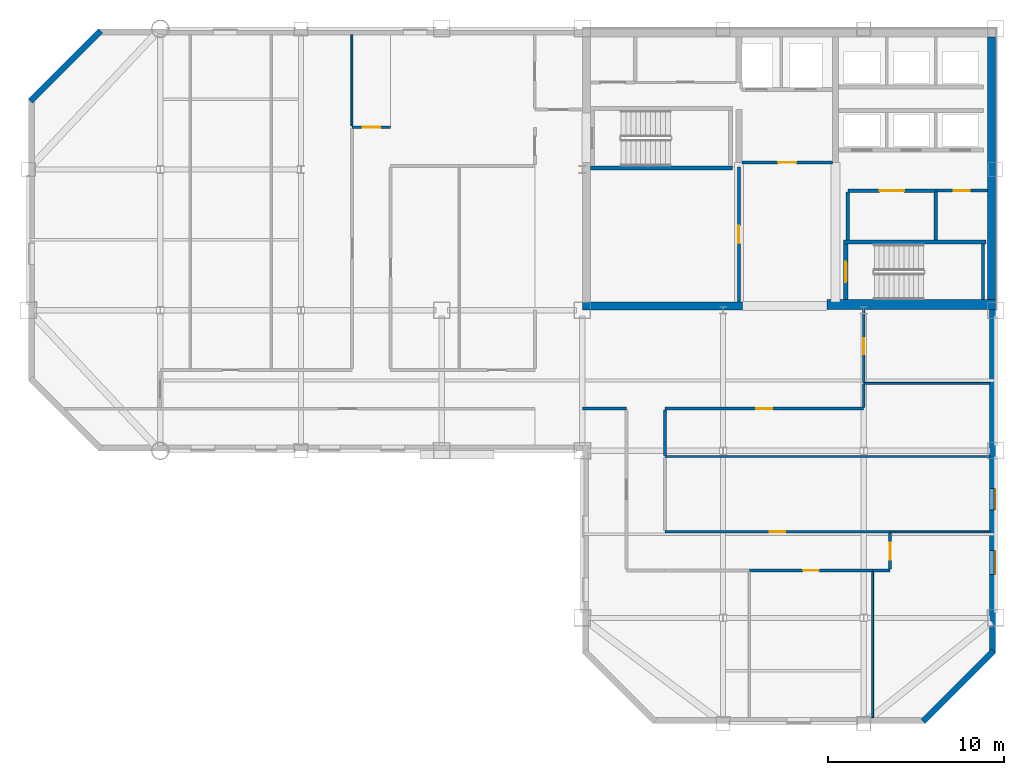
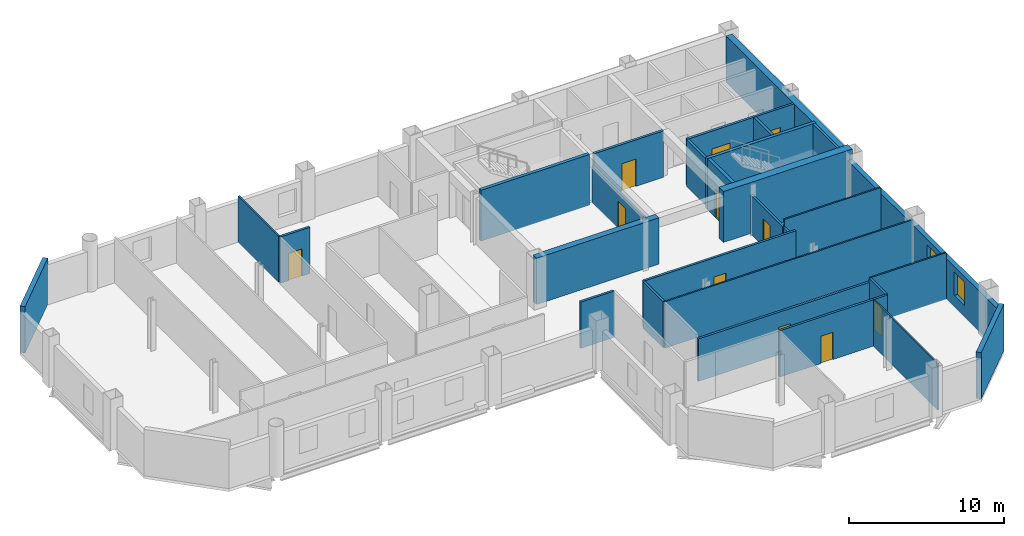
# One storey, part 5 of 11: 31 walls, 11 doors, 2 windows, 13 openings.
"""IFC4 building model written with IfcOpenShell, lengths in metres."""

from ifc_helpers import new_model, si_unit, direction, frame, frame_2d, origin, place, context, subcontext, project, spatial, rectangle, extrude, material, layer, layer_set, type_object, element, fill, save


model = new_model("IFC4")

# Units and contexts
model_context = context("Model", 3, precision=1e-05, world=origin(), true_north=direction((0.0, 1.0)))
body_context = subcontext(model_context, "Body", "Model", "MODEL_VIEW")
ifc_project = project(units=[si_unit("LENGTHUNIT", "METRE"), si_unit("AREAUNIT", "SQUARE_METRE"), si_unit("VOLUMEUNIT", "CUBIC_METRE"), si_unit("PLANEANGLEUNIT", "RADIAN"), si_unit("MASSUNIT", "GRAM", prefix="KILO")], contexts=[model_context])

# Site, building, storey
site_placement = place(None, origin())
site = spatial("IfcSite", under=ifc_project, at=site_placement, CompositionType="ELEMENT")
building_placement = place(site_placement, origin())
building = spatial("IfcBuilding", under=site, at=building_placement, Name="Qianrong Seaharbour Tower", CompositionType="ELEMENT")
storey_placement = place(building_placement, frame((0.0, 0.0, 277.800048828125)))
storey = spatial("IfcBuildingStorey", under=building, at=storey_placement, Name="L67", CompositionType="ELEMENT", Elevation=277.800048828125)

# Walls
ifc_material_1 = material(Name="Concrete C60/75", Category="concrete")
ifc_layer_1 = layer(ifc_material_1, 0.4599609375)
ifc_layer_set_1 = layer_set([ifc_layer_1], Name="Concrete C60/75")
wall_type_1 = type_object("IfcWallType", Name="WALL-CORE-460", PredefinedType="SHEAR", material=ifc_layer_set_1)
wall_1_placement = place(storey_placement, frame((63.77001953125, 36.320068359375, 0.0), z_axis=(0.0, 0.0, 1.0), x_axis=(0.0, 1.0, 0.0)))
element("IfcWall", 1, at=wall_1_placement, inside=storey, type_object=wall_type_1, Name="L67 East Core Shear Wall", PredefinedType="SHEAR", context=body_context, shape_type="SweptSolid", body=[
    extrude(rectangle(XDim=15.219970703125, YDim=0.4599609375, at=frame_2d((7.60986328125, 0.0))), origin(), (0.0, 0.0, 1.0), 3.64990234375),
])
wall_2_placement = place(storey_placement, frame((40.5, 36.22998046875, 0.0), z_axis=(0.0, 0.0, 1.0), x_axis=(1.0, 0.0, 0.0)))
element("IfcWall", 2, at=wall_2_placement, inside=storey, type_object=wall_type_1, Name="L67 South Core Shear Wall S1", PredefinedType="SHEAR", context=body_context, shape_type="SweptSolid", body=[
    extrude(rectangle(XDim=9.10009765625, YDim=0.4599609375, at=frame_2d((4.550048828125, 0.0))), origin(), (0.0, 0.0, 1.0), 3.64990234375),
])
ifc_material_2 = material(Name="Concrete C70/85", Category="concrete")
ifc_layer_2 = layer(ifc_material_2, 0.580078125)
ifc_layer_set_2 = layer_set([ifc_layer_2], Name="Concrete C70/85")
wall_type_2 = type_object("IfcWallType", Name="WALL-CORE-580", PredefinedType="SHEAR", material=ifc_layer_set_2)
wall_3_placement = place(storey_placement, frame((54.39990234375, 36.320068359375, 0.0), z_axis=(0.0, 0.0, 1.0), x_axis=(1.0, 0.0, 0.0)))
element("IfcWall", 3, at=wall_3_placement, inside=storey, type_object=wall_type_2, Name="L67 South Core Shear Wall S3", PredefinedType="SHEAR", context=body_context, shape_type="SweptSolid", body=[
    extrude(rectangle(XDim=9.60009765625, YDim=0.580078125, at=frame_2d((4.800048828125, 0.0))), origin(), (0.0, 0.0, 1.0), 4.0),
])

# Wall, opening, door
ifc_material_3 = material(Name="Fire-rated acoustic gypsum board partition")
ifc_layer_3 = layer(ifc_material_3, 0.1650390625)
ifc_layer_set_3 = layer_set([ifc_layer_3], Name="Fire-rated acoustic gypsum board partition")
wall_type_3 = type_object("IfcWallType", Name="WALL-CORR-PART-165", PredefinedType="PARTITIONING", material=ifc_layer_set_3)
wall_4_placement = place(storey_placement, frame((49.39990234375, 36.4599609375, 0.0), z_axis=(0.0, 0.0, 1.0), x_axis=(0.0, 1.0, 0.0)))
wall_4 = element("IfcWall", 4, at=wall_4_placement, inside=storey, type_object=wall_type_3, Name="L67 Interior Partition Wall 007", PredefinedType="PARTITIONING", context=body_context, shape_type="SweptSolid", body=[
    extrude(rectangle(XDim=7.68994140625, YDim=0.1650390625, at=frame_2d((3.844970703125, 0.0))), origin(), (0.0, 0.0, 1.0), 2.891845703125),
])
opening_1_placement = place(wall_4_placement, frame((3.344970703125, 0.0, 0.0)))
opening_1 = element("IfcOpeningElement", 5, at=opening_1_placement, cuts=wall_4, Name="Opening DO-01", PredefinedType="OPENING", context=body_context, shape_type="SweptSolid", body=[
    extrude(rectangle(XDim=1.0, YDim=2.14990234375, at=frame_2d((0.5, 1.074951171875))), frame((0.0, 0.092529296875, 0.0), z_axis=(0.0, -1.0, 0.0), x_axis=(1.0, 0.0, 0.0)), (0.0, 0.0, 1.0), 0.18505859375),
])
ifc_material_4 = material(Name="Acoustic timber and galvanized steel fire door assembly", Category="steel")
door_type_1 = type_object("IfcDoorType", Name="DOOR-OFFICE-1000x2150", OperationType="NOTDEFINED", PredefinedType="DOOR", material=ifc_material_4)
door_1_placement = place(opening_1_placement, origin())
door_1 = element("IfcDoor", 6, at=door_1_placement, inside=storey, type_object=door_type_1, Name="L67 Data Systems Office Door", OperationType="SINGLE_SWING_LEFT", OverallHeight=2.14990234375, OverallWidth=1.0, PredefinedType="DOOR", context=body_context, shape_type="SweptSolid", body=[
    extrude(rectangle(XDim=1.0, YDim=2.14990234375, at=frame_2d((0.5, 1.074951171875))), frame((0.0, 0.02490234375, 0.0), z_axis=(0.0, -1.0, 0.0), x_axis=(1.0, 0.0, 0.0)), (0.0, 0.0, 1.0), 0.050048828125),
])
fill(opening_1, door_1)

wall_5_placement = place(storey_placement, frame((63.5400390625, 42.800048828125, 0.0), z_axis=(0.0, 0.0, 1.0), x_axis=(-1.0, 0.0, 0.0)))
wall_5 = element("IfcWall", 7, at=wall_5_placement, inside=storey, type_object=wall_type_3, Name="L67 Interior Partition Wall 010", PredefinedType="PARTITIONING", context=body_context, shape_type="SweptSolid", body=[
    extrude(rectangle(XDim=2.93994140625, YDim=0.1650390625, at=frame_2d((1.469970703125, 0.0))), origin(), (0.0, 0.0, 1.0), 3.64990234375),
])
opening_2_placement = place(wall_5_placement, frame((1.02001953125, 0.0, 0.0)))
opening_2 = element("IfcOpeningElement", 8, at=opening_2_placement, cuts=wall_5, Name="Opening DS-01", PredefinedType="OPENING", context=body_context, shape_type="SweptSolid", body=[
    extrude(rectangle(XDim=0.89990234375, YDim=2.14990234375, at=frame_2d((0.449951171875, 1.074951171875))), frame((0.0, 0.092529296875, 0.0), z_axis=(0.0, -1.0, 0.0), x_axis=(1.0, 0.0, 0.0)), (0.0, 0.0, 1.0), 0.18505859375),
])
door_type_2 = type_object("IfcDoorType", Name="DOOR-STORE-900x2150", OperationType="NOTDEFINED", PredefinedType="DOOR", material=ifc_material_4)
door_2_placement = place(opening_2_placement, origin())
door_2 = element("IfcDoor", 9, at=door_2_placement, inside=storey, type_object=door_type_2, Name="L67 Housekeeping Linen Store Door", OperationType="SINGLE_SWING_LEFT", OverallHeight=2.14990234375, OverallWidth=0.89990234375, PredefinedType="DOOR", context=body_context, shape_type="SweptSolid", body=[
    extrude(rectangle(XDim=0.89990234375, YDim=2.14990234375, at=frame_2d((0.449951171875, 1.074951171875))), frame((0.0, 0.02490234375, 0.0), z_axis=(0.0, -1.0, 0.0), x_axis=(1.0, 0.0, 0.0)), (0.0, 0.0, 1.0), 0.050048828125),
])
fill(opening_2, door_2)

wall_6_placement = place(storey_placement, frame((27.39990234375, 46.39990234375, 0.0), z_axis=(0.0, 0.0, 1.0), x_axis=(1.0, 0.0, 0.0)))
wall_6 = element("IfcWall", 10, at=wall_6_placement, inside=storey, type_object=wall_type_3, Name="L67 Interior Partition Wall 021", PredefinedType="PARTITIONING", context=body_context, shape_type="SweptSolid", body=[
    extrude(rectangle(XDim=2.2001953125, YDim=0.1650390625, at=frame_2d((1.10009765625, 0.0))), origin(), (0.0, 0.0, 1.0), 3.64990234375),
])
opening_3_placement = place(wall_6_placement, frame((0.60009765625, 0.0, 0.0)))
opening_3 = element("IfcOpeningElement", 11, at=opening_3_placement, cuts=wall_6, Name="Opening DO-01", PredefinedType="OPENING", context=body_context, shape_type="SweptSolid", body=[
    extrude(rectangle(XDim=1.0, YDim=2.14990234375, at=frame_2d((0.5, 1.074951171875))), frame((0.0, 0.092529296875, 0.0), z_axis=(0.0, -1.0, 0.0), x_axis=(1.0, 0.0, 0.0)), (0.0, 0.0, 1.0), 0.18505859375),
])
door_3_placement = place(opening_3_placement, origin())
door_3 = element("IfcDoor", 12, at=door_3_placement, inside=storey, type_object=door_type_1, Name="L67 Maritime Tribunal Hearing Hall Door", OperationType="SINGLE_SWING_LEFT", OverallHeight=2.14990234375, OverallWidth=1.0, PredefinedType="DOOR", context=body_context, shape_type="SweptSolid", body=[
    extrude(rectangle(XDim=1.0, YDim=2.14990234375, at=frame_2d((0.5, 1.074951171875))), frame((0.0, 0.02490234375, 0.0), z_axis=(0.0, -1.0, 0.0), x_axis=(1.0, 0.0, 0.0)), (0.0, 0.0, 1.0), 0.050048828125),
])
fill(opening_3, door_3)

# Wall
wall_7_placement = place(storey_placement, frame((56.5, 31.79296875, 0.0), z_axis=(0.0, 0.0, 1.0), x_axis=(0.0, -1.0, 0.0)))
element("IfcWall", 13, at=wall_7_placement, inside=storey, type_object=wall_type_3, Name="L67 Interior Partition Wall 026", PredefinedType="PARTITIONING", context=body_context, shape_type="SweptSolid", body=[
    extrude(rectangle(XDim=1.318359375, YDim=0.1650390625, at=frame_2d((0.6591796875, 0.0))), origin(), (0.0, 0.0, 1.0), 3.053955078125),
])

# Wall, opening, door
wall_8_placement = place(storey_placement, frame((56.5, 30.39990234375, 0.0), z_axis=(0.0, 0.0, 1.0), x_axis=(-1.0, 0.0, 0.0)))
wall_8 = element("IfcWall", 14, at=wall_8_placement, inside=storey, type_object=wall_type_3, Name="L67 Interior Partition Wall 027", PredefinedType="PARTITIONING", context=body_context, shape_type="SweptSolid", body=[
    extrude(rectangle(XDim=11.300048828125, YDim=0.1650390625, at=frame_2d((5.64990234375, 0.0))), origin(), (0.0, 0.0, 1.0), 3.64990234375),
])
opening_4_placement = place(wall_8_placement, frame((5.199951171875, 0.0, 0.0)))
opening_4 = element("IfcOpeningElement", 15, at=opening_4_placement, cuts=wall_8, Name="Opening DS-01", PredefinedType="OPENING", context=body_context, shape_type="SweptSolid", body=[
    extrude(rectangle(XDim=0.89990234375, YDim=2.14990234375, at=frame_2d((0.449951171875, 1.074951171875))), frame((0.0, 0.092529296875, 0.0), z_axis=(0.0, -1.0, 0.0), x_axis=(1.0, 0.0, 0.0)), (0.0, 0.0, 1.0), 0.18505859375),
])
door_4_placement = place(opening_4_placement, origin())
door_4 = element("IfcDoor", 16, at=door_4_placement, inside=storey, type_object=door_type_2, Name="L67 Closed File Store 2 Door", OperationType="SINGLE_SWING_LEFT", OverallHeight=2.14990234375, OverallWidth=0.89990234375, PredefinedType="DOOR", context=body_context, shape_type="SweptSolid", body=[
    extrude(rectangle(XDim=0.89990234375, YDim=2.14990234375, at=frame_2d((0.449951171875, 1.074951171875))), frame((0.0, 0.02490234375, 0.0), z_axis=(0.0, -1.0, 0.0), x_axis=(1.0, 0.0, 0.0)), (0.0, 0.0, 1.0), 0.050048828125),
])
fill(opening_4, door_4)

wall_9_placement = place(storey_placement, frame((56.5, 36.0, 0.0), z_axis=(0.0, 0.0, 1.0), x_axis=(0.0, -1.0, 0.0)))
wall_9 = element("IfcWall", 17, at=wall_9_placement, inside=storey, type_object=wall_type_3, Name="L67 Interior Partition Wall 028", PredefinedType="PARTITIONING", context=body_context, shape_type="SweptSolid", body=[
    extrude(rectangle(XDim=4.113037109375, YDim=0.1650390625, at=frame_2d((2.056640625, 0.0))), origin(), (0.0, 0.0, 1.0), 3.053955078125),
])
opening_5_placement = place(wall_9_placement, frame((1.6064453125, 0.0, 0.0)))
opening_5 = element("IfcOpeningElement", 18, at=opening_5_placement, cuts=wall_9, Name="Opening DS-01", PredefinedType="OPENING", context=body_context, shape_type="SweptSolid", body=[
    extrude(rectangle(XDim=0.89990234375, YDim=2.14990234375, at=frame_2d((0.449951171875, 1.074951171875))), frame((0.0, 0.092529296875, 0.0), z_axis=(0.0, -1.0, 0.0), x_axis=(1.0, 0.0, 0.0)), (0.0, 0.0, 1.0), 0.18505859375),
])
door_5_placement = place(opening_5_placement, origin())
door_5 = element("IfcDoor", 19, at=door_5_placement, inside=storey, type_object=door_type_2, Name="L67 Document Registry Store 3 Door", OperationType="SINGLE_SWING_RIGHT", OverallHeight=2.14990234375, OverallWidth=0.89990234375, PredefinedType="DOOR", context=body_context, shape_type="SweptSolid", body=[
    extrude(rectangle(XDim=0.89990234375, YDim=2.14990234375, at=frame_2d((0.449951171875, 1.074951171875))), frame((0.0, 0.02490234375, 0.0), z_axis=(0.0, -1.0, 0.0), x_axis=(1.0, 0.0, 0.0)), (0.0, 0.0, 1.0), 0.050048828125),
])
fill(opening_5, door_5)

# Walls
wall_10_placement = place(storey_placement, frame((43.0, 30.39990234375, 0.0), z_axis=(0.0, 0.0, 1.0), x_axis=(-1.0, 0.0, 0.0)))
element("IfcWall", 20, at=wall_10_placement, inside=storey, type_object=wall_type_3, Name="L67 Interior Partition Wall 029", PredefinedType="PARTITIONING", context=body_context, shape_type="SweptSolid", body=[
    extrude(rectangle(XDim=2.5, YDim=0.1650390625, at=frame_2d((1.25, 0.0))), origin(), (0.0, 0.0, 1.0), 3.64990234375),
])
wall_11_placement = place(storey_placement, frame((45.199951171875, 30.325439453125, 0.0), z_axis=(0.0, 0.0, 1.0), x_axis=(0.0, -1.0, 0.0)))
element("IfcWall", 21, at=wall_11_placement, inside=storey, type_object=wall_type_3, Name="L67 Interior Partition Wall 031", PredefinedType="PARTITIONING", context=body_context, shape_type="SweptSolid", body=[
    extrude(rectangle(XDim=2.598388671875, YDim=0.1650390625, at=frame_2d((1.29931640625, 0.0))), origin(), (0.0, 0.0, 1.0), 3.64990234375),
])

# Wall, opening, door
wall_12_placement = place(storey_placement, frame((45.199951171875, 23.39990234375, 0.0), z_axis=(0.0, 0.0, 1.0), x_axis=(1.0, 0.0, 0.0)))
wall_12 = element("IfcWall", 22, at=wall_12_placement, inside=storey, type_object=wall_type_3, Name="L67 Interior Partition Wall 034", PredefinedType="PARTITIONING", context=body_context, shape_type="SweptSolid", body=[
    extrude(rectangle(XDim=12.800048828125, YDim=0.1650390625, at=frame_2d((6.39990234375, 0.0))), origin(), (0.0, 0.0, 1.0), 3.342041015625),
])
opening_6_placement = place(wall_12_placement, frame((5.949951171875, 0.0, 0.0)))
opening_6 = element("IfcOpeningElement", 23, at=opening_6_placement, cuts=wall_12, Name="Opening DS-01", PredefinedType="OPENING", context=body_context, shape_type="SweptSolid", body=[
    extrude(rectangle(XDim=0.89990234375, YDim=2.14990234375, at=frame_2d((0.449951171875, 1.074951171875))), frame((0.0, 0.092529296875, 0.0), z_axis=(0.0, -1.0, 0.0), x_axis=(1.0, 0.0, 0.0)), (0.0, 0.0, 1.0), 0.18505859375),
])
door_6_placement = place(opening_6_placement, origin())
door_6 = element("IfcDoor", 24, at=door_6_placement, inside=storey, type_object=door_type_2, Name="L67 Docket Archive Store 1 Door", OperationType="SINGLE_SWING_RIGHT", OverallHeight=2.14990234375, OverallWidth=0.89990234375, PredefinedType="DOOR", context=body_context, shape_type="SweptSolid", body=[
    extrude(rectangle(XDim=0.89990234375, YDim=2.14990234375, at=frame_2d((0.449951171875, 1.074951171875))), frame((0.0, 0.02490234375, 0.0), z_axis=(0.0, -1.0, 0.0), x_axis=(1.0, 0.0, 0.0)), (0.0, 0.0, 1.0), 0.050048828125),
])
fill(opening_6, door_6)

wall_13_placement = place(storey_placement, frame((57.0, 21.199951171875, 0.0), z_axis=(0.0, 0.0, 1.0), x_axis=(-1.0, 0.0, 0.0)))
wall_13 = element("IfcWall", 25, at=wall_13_placement, inside=storey, type_object=wall_type_3, Name="L67 Interior Partition Wall 036", PredefinedType="PARTITIONING", context=body_context, shape_type="SweptSolid", body=[
    extrude(rectangle(XDim=7.0, YDim=0.1650390625, at=frame_2d((3.5, 0.0))), origin(), (0.0, 0.0, 1.0), 3.64990234375),
])
opening_7_placement = place(wall_13_placement, frame((3.050048828125, 0.0, 0.0)))
opening_7 = element("IfcOpeningElement", 26, at=opening_7_placement, cuts=wall_13, Name="Opening DS-01", PredefinedType="OPENING", context=body_context, shape_type="SweptSolid", body=[
    extrude(rectangle(XDim=0.89990234375, YDim=2.14990234375, at=frame_2d((0.449951171875, 1.074951171875))), frame((0.0, 0.092529296875, 0.0), z_axis=(0.0, -1.0, 0.0), x_axis=(1.0, 0.0, 0.0)), (0.0, 0.0, 1.0), 0.18505859375),
])
door_7_placement = place(opening_7_placement, origin())
door_7 = element("IfcDoor", 27, at=door_7_placement, inside=storey, type_object=door_type_2, Name="L67 Corporate Archive Room 2 Door", OperationType="SINGLE_SWING_LEFT", OverallHeight=2.14990234375, OverallWidth=0.89990234375, PredefinedType="DOOR", context=body_context, shape_type="SweptSolid", body=[
    extrude(rectangle(XDim=0.89990234375, YDim=2.14990234375, at=frame_2d((0.449951171875, 1.074951171875))), frame((0.0, 0.02490234375, 0.0), z_axis=(0.0, -1.0, 0.0), x_axis=(1.0, 0.0, 0.0)), (0.0, 0.0, 1.0), 0.050048828125),
])
fill(opening_7, door_7)

wall_14_placement = place(storey_placement, frame((58.0, 23.325439453125, 0.0), z_axis=(0.0, 0.0, 1.0), x_axis=(0.0, -1.0, 0.0)))
wall_14 = element("IfcWall", 28, at=wall_14_placement, inside=storey, type_object=wall_type_3, Name="L67 Interior Partition Wall 037", PredefinedType="PARTITIONING", context=body_context, shape_type="SweptSolid", body=[
    extrude(rectangle(XDim=2.051025390625, YDim=0.1650390625, at=frame_2d((1.025390625, 0.0))), origin(), (0.0, 0.0, 1.0), 3.64990234375),
])
opening_8_placement = place(wall_14_placement, frame((0.535400390625, 0.0, 0.0)))
opening_8 = element("IfcOpeningElement", 29, at=opening_8_placement, cuts=wall_14, Name="Opening DE-01", PredefinedType="OPENING", context=body_context, shape_type="SweptSolid", body=[
    extrude(rectangle(XDim=0.97998046875, YDim=2.25, at=frame_2d((0.489990234375, 1.125))), frame((0.0, 0.092529296875, 0.0), z_axis=(0.0, -1.0, 0.0), x_axis=(1.0, 0.0, 0.0)), (0.0, 0.0, 1.0), 0.18505859375),
])
door_type_3 = type_object("IfcDoorType", Name="DOOR-EXEC-980x2250", OperationType="NOTDEFINED", PredefinedType="DOOR", material=ifc_material_4)
door_8_placement = place(opening_8_placement, origin())
door_8 = element("IfcDoor", 30, at=door_8_placement, inside=storey, type_object=door_type_3, Name="L67 Senior Partner Office 3 Door", OperationType="SINGLE_SWING_RIGHT", OverallHeight=2.25, OverallWidth=0.97998046875, PredefinedType="DOOR", context=body_context, shape_type="SweptSolid", body=[
    extrude(rectangle(XDim=0.97998046875, YDim=2.25, at=frame_2d((0.489990234375, 1.125))), frame((0.0, 0.02490234375, 0.0), z_axis=(0.0, -1.0, 0.0), x_axis=(1.0, 0.0, 0.0)), (0.0, 0.0, 1.0), 0.050048828125),
])
fill(opening_8, door_8)

# Walls
wall_15_placement = place(storey_placement, frame((58.0, 21.199951171875, 0.0), z_axis=(0.0, 0.0, 1.0), x_axis=(-1.0, 0.0, 0.0)))
element("IfcWall", 31, at=wall_15_placement, inside=storey, type_object=wall_type_3, Name="L67 Interior Partition Wall 038", PredefinedType="PARTITIONING", context=body_context, shape_type="SweptSolid", body=[
    extrude(rectangle(XDim=1.0, YDim=0.1650390625, at=frame_2d((0.5, 0.0))), origin(), (0.0, 0.0, 1.0), 3.64990234375),
])
ifc_material_5 = material(Name="Demountable aluminium-framed acoustic office partition", Category="aluminium")
ifc_layer_4 = layer(ifc_material_5, 0.110107421875)
ifc_layer_set_4 = layer_set([ifc_layer_4], Name="Demountable aluminium-framed acoustic office partition")
wall_type_4 = type_object("IfcWallType", Name="WALL-DEMOUNT-110", PredefinedType="MOVABLE", material=ifc_layer_set_4)
wall_16_placement = place(storey_placement, frame((27.39990234375, 51.66796875, 0.0), z_axis=(0.0, 0.0, 1.0), x_axis=(0.0, -1.0, 0.0)))
element("IfcWall", 32, at=wall_16_placement, inside=storey, type_object=wall_type_4, Name="L67 Interior Partition Wall 042", PredefinedType="MOVABLE", context=body_context, shape_type="SweptSolid", body=[
    extrude(rectangle(XDim=5.193359375, YDim=0.110107421875, at=frame_2d((2.5966796875, 0.0))), origin(), (0.0, 0.0, 1.0), 3.64990234375),
])
wall_17_placement = place(storey_placement, frame((45.199951171875, 27.679931640625, 0.0), z_axis=(0.0, 0.0, 1.0), x_axis=(1.0, 0.0, 0.0)))
element("IfcWall", 33, at=wall_17_placement, inside=storey, type_object=wall_type_4, Name="L67 Interior Partition Wall 044", PredefinedType="MOVABLE", context=body_context, shape_type="SweptSolid", body=[
    extrude(rectangle(XDim=18.468017578125, YDim=0.110107421875, at=frame_2d((9.23388671875, 0.0))), origin(), (0.0, 0.0, 1.0), 3.64990234375),
])
wall_18_placement = place(storey_placement, frame((63.66796875, 23.39990234375, 0.0), z_axis=(0.0, 0.0, 1.0), x_axis=(-1.0, 0.0, 0.0)))
element("IfcWall", 34, at=wall_18_placement, inside=storey, type_object=wall_type_4, Name="L67 Interior Partition Wall 045", PredefinedType="MOVABLE", context=body_context, shape_type="SweptSolid", body=[
    extrude(rectangle(XDim=5.66796875, YDim=0.110107421875, at=frame_2d((2.833984375, 0.0))), origin(), (0.0, 0.0, 1.0), 3.64990234375),
])
wall_19_placement = place(storey_placement, frame((56.5, 31.840087890625, 0.0), z_axis=(0.0, 0.0, 1.0), x_axis=(1.0, 0.0, 0.0)))
element("IfcWall", 35, at=wall_19_placement, inside=storey, type_object=wall_type_4, Name="L67 Interior Partition Wall 046", PredefinedType="MOVABLE", context=body_context, shape_type="SweptSolid", body=[
    extrude(rectangle(XDim=7.16796875, YDim=0.110107421875, at=frame_2d((3.583984375, 0.0))), origin(), (0.0, 0.0, 1.0), 3.64990234375),
])
wall_20_placement = place(storey_placement, frame((57.0, 21.12548828125, 0.0), z_axis=(0.0, 0.0, 1.0), x_axis=(0.0, -1.0, 0.0)))
element("IfcWall", 36, at=wall_20_placement, inside=storey, type_object=wall_type_4, Name="L67 Interior Partition Wall 048", PredefinedType="MOVABLE", context=body_context, shape_type="SweptSolid", body=[
    extrude(rectangle(XDim=8.29345703125, YDim=0.110107421875, at=frame_2d((4.146728515625, 0.0))), origin(), (0.0, 0.0, 1.0), 3.64990234375),
])
ifc_material_6 = material(Name="Unitised buff brick on Precast concrete C45/55", Category="masonry")
ifc_layer_5 = layer(ifc_material_6, 0.340087890625)
ifc_layer_set_5 = layer_set([ifc_layer_5], Name="Unitised buff brick on Precast concrete C45/55")
wall_type_5 = type_object("IfcWallType", Name="WALL-EXT-BRICK-BUFF-340", PredefinedType="SOLIDWALL", material=ifc_layer_set_5)
wall_21_placement = place(storey_placement, frame((9.1201171875, 47.8798828125, 0.0), z_axis=(0.0, 0.0, 1.0), x_axis=(0.707106781187, 0.707106781187, 0.0)))
element("IfcWall", 37, at=wall_21_placement, inside=storey, type_object=wall_type_5, Name="L67 Exterior Masonry Facade Wall E04", PredefinedType="SOLIDWALL", context=body_context, shape_type="SweptSolid", body=[
    extrude(rectangle(XDim=5.65673828125, YDim=0.340087890625, at=frame_2d((2.828369140625, 0.0))), origin(), (0.0, 0.0, 1.0), 3.64990234375),
])

# Wall, openings, windows
wall_22_placement = place(storey_placement, frame((63.830078125, 36.050048828125, 0.0), z_axis=(0.0, 0.0, 1.0), x_axis=(0.0, -1.0, 0.0)))
wall_22 = element("IfcWall", 38, at=wall_22_placement, inside=storey, type_object=wall_type_5, Name="L67 Exterior Masonry Facade Wall EAST_WING", PredefinedType="SOLIDWALL", context=body_context, shape_type="SweptSolid", body=[
    extrude(rectangle(XDim=19.550048828125, YDim=0.340087890625, at=frame_2d((9.77490234375, 0.0))), origin(), (0.0, 0.0, 1.0), 3.199951171875),
])
opening_9_placement = place(wall_22_placement, frame((10.199951171875, 0.0, 0.89990234375)))
opening_9 = element("IfcOpeningElement", 39, at=opening_9_placement, cuts=wall_22, Name="Opening WN-01", PredefinedType="OPENING", context=body_context, shape_type="SweptSolid", body=[
    extrude(rectangle(XDim=1.199951171875, YDim=1.85009765625, at=frame_2d((0.60009765625, 0.925048828125))), frame((0.0, 0.18017578125, 0.0), z_axis=(0.0, -1.0, 0.0), x_axis=(1.0, 0.0, 0.0)), (0.0, 0.0, 1.0), 0.360107421875),
])
opening_10_placement = place(wall_22_placement, frame((13.72509765625, 0.0, 0.89990234375)))
opening_10 = element("IfcOpeningElement", 40, at=opening_10_placement, cuts=wall_22, Name="Opening WN-02", PredefinedType="OPENING", context=body_context, shape_type="SweptSolid", body=[
    extrude(rectangle(XDim=1.35009765625, YDim=1.85009765625, at=frame_2d((0.675048828125, 0.925048828125))), frame((0.0, 0.18017578125, 0.0), z_axis=(0.0, -1.0, 0.0), x_axis=(1.0, 0.0, 0.0)), (0.0, 0.0, 1.0), 0.360107421875),
])
ifc_material_7 = material(Name="Insulated low-e double glazing in thermally broken aluminium 6063-T6 frame", Category="aluminium")
window_type_1 = type_object("IfcWindowType", Name="WIN-PUNCH-1200x1850", PartitioningType="DOUBLE_PANEL_VERTICAL", PredefinedType="WINDOW", material=ifc_material_7)
window_1_placement = place(opening_9_placement, origin())
window_1 = element("IfcWindow", 41, at=window_1_placement, inside=storey, type_object=window_type_1, Name="L67 Deep-Set Punched Window 06.03", OverallHeight=1.85009765625, OverallWidth=1.199951171875, PartitioningType="DOUBLE_PANEL_VERTICAL", PredefinedType="WINDOW", context=body_context, shape_type="SweptSolid", body=[
    extrude(rectangle(XDim=1.199951171875, YDim=1.85009765625, at=frame_2d((0.60009765625, 0.925048828125))), frame((0.0, 0.150146484375, 0.0), z_axis=(0.0, -1.0, 0.0), x_axis=(1.0, 0.0, 0.0)), (0.0, 0.0, 1.0), 0.06005859375),
])
fill(opening_9, window_1)
window_type_2 = type_object("IfcWindowType", Name="WIN-PUNCH-1350x1850", PartitioningType="DOUBLE_PANEL_VERTICAL", PredefinedType="WINDOW", material=ifc_material_7)
window_2_placement = place(opening_10_placement, origin())
window_2 = element("IfcWindow", 42, at=window_2_placement, inside=storey, type_object=window_type_2, Name="L67 Deep-Set Punched Window 06.04", OverallHeight=1.85009765625, OverallWidth=1.35009765625, PartitioningType="DOUBLE_PANEL_VERTICAL", PredefinedType="WINDOW", context=body_context, shape_type="SweptSolid", body=[
    extrude(rectangle(XDim=1.35009765625, YDim=1.85009765625, at=frame_2d((0.675048828125, 0.925048828125))), frame((0.0, 0.150146484375, 0.0), z_axis=(0.0, -1.0, 0.0), x_axis=(1.0, 0.0, 0.0)), (0.0, 0.0, 1.0), 0.06005859375),
])
fill(opening_10, window_2)

# Wall
wall_23_placement = place(storey_placement, frame((63.8798828125, 16.6201171875, 0.0), z_axis=(0.0, 0.0, 1.0), x_axis=(-0.707106781187, -0.707106781187, 0.0)))
element("IfcWall", 43, at=wall_23_placement, inside=storey, type_object=wall_type_5, Name="L67 Exterior Masonry Facade Wall E07", PredefinedType="SOLIDWALL", context=body_context, shape_type="SweptSolid", body=[
    extrude(rectangle(XDim=5.65673828125, YDim=0.340087890625, at=frame_2d((2.828369140625, 0.0))), origin(), (0.0, 0.0, 1.0), 3.64990234375),
])

# Wall, opening, door
ifc_material_8 = material(Name="Double fire-rated gypsum board acoustic partition")
ifc_layer_6 = layer(ifc_material_8, 0.18994140625)
ifc_layer_set_6 = layer_set([ifc_layer_6], Name="Double fire-rated gypsum board acoustic partition")
wall_type_6 = type_object("IfcWallType", Name="WALL-FIRE-PART-190", PredefinedType="PARTITIONING", material=ifc_layer_set_6)
wall_24_placement = place(storey_placement, frame((54.73291015625, 44.39990234375, 0.0), z_axis=(0.0, 0.0, 1.0), x_axis=(-1.0, 0.0, 0.0)))
wall_24 = element("IfcWall", 44, at=wall_24_placement, inside=storey, type_object=wall_type_6, Name="L67 Interior Partition Wall 006", PredefinedType="PARTITIONING", context=body_context, shape_type="SweptSolid", body=[
    extrude(rectangle(XDim=5.166015625, YDim=0.18994140625, at=frame_2d((2.5830078125, 0.0))), origin(), (0.0, 0.0, 1.0), 3.64990234375),
])
opening_11_placement = place(wall_24_placement, frame((2.05810546875, 0.0, 0.0)))
opening_11 = element("IfcOpeningElement", 45, at=opening_11_placement, cuts=wall_24, Name="Opening DC-01", PredefinedType="OPENING", context=body_context, shape_type="SweptSolid", body=[
    extrude(rectangle(XDim=1.050048828125, YDim=2.14990234375, at=frame_2d((0.52490234375, 1.074951171875))), frame((0.0, 0.10498046875, 0.0), z_axis=(0.0, -1.0, 0.0), x_axis=(1.0, 0.0, 0.0)), (0.0, 0.0, 1.0), 0.2099609375),
])
door_type_4 = type_object("IfcDoorType", Name="DOOR-CORR-FD60-1050x2150", OperationType="NOTDEFINED", PredefinedType="DOOR", material=ifc_material_4)
door_9_placement = place(opening_11_placement, origin())
door_9 = element("IfcDoor", 46, at=door_9_placement, inside=storey, type_object=door_type_4, Name="L67 Firefighting Lift Lobby Door", OperationType="SINGLE_SWING_RIGHT", OverallHeight=2.14990234375, OverallWidth=1.050048828125, PredefinedType="DOOR", context=body_context, shape_type="SweptSolid", body=[
    extrude(rectangle(XDim=1.050048828125, YDim=2.14990234375, at=frame_2d((0.52490234375, 1.074951171875))), frame((0.0, 0.02490234375, 0.0), z_axis=(0.0, -1.0, 0.0), x_axis=(1.0, 0.0, 0.0)), (0.0, 0.0, 1.0), 0.050048828125),
])
fill(opening_11, door_9)

# Wall
wall_25_placement = place(storey_placement, frame((55.60009765625, 42.712890625, 0.0), z_axis=(0.0, 0.0, 1.0), x_axis=(0.0, -1.0, 0.0)))
element("IfcWall", 47, at=wall_25_placement, inside=storey, type_object=wall_type_6, Name="L67 Interior Partition Wall 008", PredefinedType="PARTITIONING", context=body_context, shape_type="SweptSolid", body=[
    extrude(rectangle(XDim=2.73095703125, YDim=0.18994140625, at=frame_2d((1.365478515625, 0.0))), origin(), (0.0, 0.0, 1.0), 3.64990234375),
])

# Wall, opening, door
wall_26_placement = place(storey_placement, frame((60.60009765625, 42.800048828125, 0.0), z_axis=(0.0, 0.0, 1.0), x_axis=(-1.0, 0.0, 0.0)))
wall_26 = element("IfcWall", 48, at=wall_26_placement, inside=storey, type_object=wall_type_6, Name="L67 Interior Partition Wall 009", PredefinedType="PARTITIONING", context=body_context, shape_type="SweptSolid", body=[
    extrude(rectangle(XDim=5.0, YDim=0.18994140625, at=frame_2d((2.5, 0.0))), origin(), (0.0, 0.0, 1.0), 3.64990234375),
])
opening_12_placement = place(wall_26_placement, frame((1.800048828125, 0.0, 0.0)))
opening_12 = element("IfcOpeningElement", 49, at=opening_12_placement, cuts=wall_26, Name="Opening DP-01", PredefinedType="OPENING", context=body_context, shape_type="SweptSolid", body=[
    extrude(rectangle(XDim=1.39990234375, YDim=2.25, at=frame_2d((0.699951171875, 1.125))), frame((0.0, 0.10498046875, 0.0), z_axis=(0.0, -1.0, 0.0), x_axis=(1.0, 0.0, 0.0)), (0.0, 0.0, 1.0), 0.2099609375),
])
door_type_5 = type_object("IfcDoorType", Name="DOOR-PLANT-PAIR-1400x2250", OperationType="DOUBLE_DOOR_SINGLE_SWING", PredefinedType="DOOR", material=ifc_material_4)
door_10_placement = place(opening_12_placement, origin())
door_10 = element("IfcDoor", 50, at=door_10_placement, inside=storey, type_object=door_type_5, Name="L67 Submetering Switch Room Door", OperationType="DOUBLE_DOOR_SINGLE_SWING", OverallHeight=2.25, OverallWidth=1.39990234375, PredefinedType="DOOR", context=body_context, shape_type="SweptSolid", body=[
    extrude(rectangle(XDim=1.39990234375, YDim=2.25, at=frame_2d((0.699951171875, 1.125))), frame((0.0, 0.02490234375, 0.0), z_axis=(0.0, -1.0, 0.0), x_axis=(1.0, 0.0, 0.0)), (0.0, 0.0, 1.0), 0.050048828125),
])
fill(opening_12, door_10)

# Walls
wall_27_placement = place(storey_placement, frame((60.60009765625, 42.712890625, 0.0), z_axis=(0.0, 0.0, 1.0), x_axis=(0.0, -1.0, 0.0)))
element("IfcWall", 51, at=wall_27_placement, inside=storey, type_object=wall_type_6, Name="L67 Interior Partition Wall 012", PredefinedType="PARTITIONING", context=body_context, shape_type="SweptSolid", body=[
    extrude(rectangle(XDim=2.73095703125, YDim=0.18994140625, at=frame_2d((1.365478515625, 0.0))), origin(), (0.0, 0.0, 1.0), 3.64990234375),
])
ifc_material_9 = material(Name="Concrete C50/60", Category="concrete")
ifc_layer_7 = layer(ifc_material_9, 0.239990234375)
ifc_layer_set_7 = layer_set([ifc_layer_7], Name="Concrete C50/60")
wall_type_7 = type_object("IfcWallType", Name="WALL-SHAFT-RC240", PredefinedType="SOLIDWALL", material=ifc_layer_set_7)
wall_28_placement = place(storey_placement, frame((49.0400390625, 44.080078125, 0.0), z_axis=(0.0, 0.0, 1.0), x_axis=(-1.0, 0.0, 0.0)))
element("IfcWall", 52, at=wall_28_placement, inside=storey, type_object=wall_type_7, Name="L67 ST-1 Structural Stair Core Wall S", PredefinedType="SOLIDWALL", context=body_context, shape_type="SweptSolid", body=[
    extrude(rectangle(XDim=8.080078125, YDim=0.239990234375, at=frame_2d((4.0400390625, 0.0))), origin(), (0.0, 0.0, 1.0), 4.0),
])
wall_29_placement = place(storey_placement, frame((55.360107421875, 39.8701171875, 0.0), z_axis=(0.0, 0.0, 1.0), x_axis=(1.0, 0.0, 0.0)))
element("IfcWall", 53, at=wall_29_placement, inside=storey, type_object=wall_type_7, Name="L67 ST-2 Structural Stair Core Wall N", PredefinedType="SOLIDWALL", context=body_context, shape_type="SweptSolid", body=[
    extrude(rectangle(XDim=8.079833984375, YDim=0.239990234375, at=frame_2d((4.0400390625, 0.0))), origin(), (0.0, 0.0, 1.0), 4.0),
])

# Wall, opening, door
wall_30_placement = place(storey_placement, frame((55.47998046875, 39.75, 0.0), z_axis=(0.0, 0.0, 1.0), x_axis=(0.0, -1.0, 0.0)))
wall_30 = element("IfcWall", 54, at=wall_30_placement, inside=storey, type_object=wall_type_7, Name="L67 ST-2 Structural Stair Core Wall W", PredefinedType="SOLIDWALL", context=body_context, shape_type="SweptSolid", body=[
    extrude(rectangle(XDim=3.14990234375, YDim=0.239990234375, at=frame_2d((1.574951171875, 0.0))), origin(), (0.0, 0.0, 1.0), 4.0),
])
opening_13_placement = place(wall_30_placement, frame((1.0, 0.0, 0.0)))
opening_13 = element("IfcOpeningElement", 55, at=opening_13_placement, cuts=wall_30, Name="Opening SD-01", PredefinedType="OPENING", context=body_context, shape_type="SweptSolid", body=[
    extrude(rectangle(XDim=1.14990234375, YDim=2.199951171875, at=frame_2d((0.574951171875, 1.10009765625))), frame((0.0, 0.1298828125, 0.0), z_axis=(0.0, -1.0, 0.0), x_axis=(1.0, 0.0, 0.0)), (0.0, 0.0, 1.0), 0.260009765625),
])
door_type_6 = type_object("IfcDoorType", Name="DOOR-STAIR-FD60-1150x2200", OperationType="NOTDEFINED", PredefinedType="DOOR", material=ifc_material_4)
door_11_placement = place(opening_13_placement, origin())
door_11 = element("IfcDoor", 56, at=door_11_placement, inside=storey, type_object=door_type_6, Name="L67 ST-2 Protected Stair Door", OperationType="SINGLE_SWING_RIGHT", OverallHeight=2.199951171875, OverallWidth=1.14990234375, PredefinedType="DOOR", context=body_context, shape_type="SweptSolid", body=[
    extrude(rectangle(XDim=1.14990234375, YDim=2.199951171875, at=frame_2d((0.574951171875, 1.10009765625))), frame((0.0, 0.02490234375, 0.0), z_axis=(0.0, -1.0, 0.0), x_axis=(1.0, 0.0, 0.0)), (0.0, 0.0, 1.0), 0.050048828125),
])
fill(opening_13, door_11)

# Wall
wall_31_placement = place(storey_placement, frame((63.2900390625, 36.60009765625, 0.0), z_axis=(0.0, 0.0, 1.0), x_axis=(0.0, 1.0, 0.0)))
element("IfcWall", 57, at=wall_31_placement, inside=storey, type_object=wall_type_7, Name="L67 ST-2 Structural Stair Core Wall E", PredefinedType="SOLIDWALL", context=body_context, shape_type="SweptSolid", body=[
    extrude(rectangle(XDim=3.14990234375, YDim=0.179931640625, at=frame_2d((1.574951171875, 0.0))), origin(), (0.0, 0.0, 1.0), 4.0),
])

save(model, "model.ifc")
